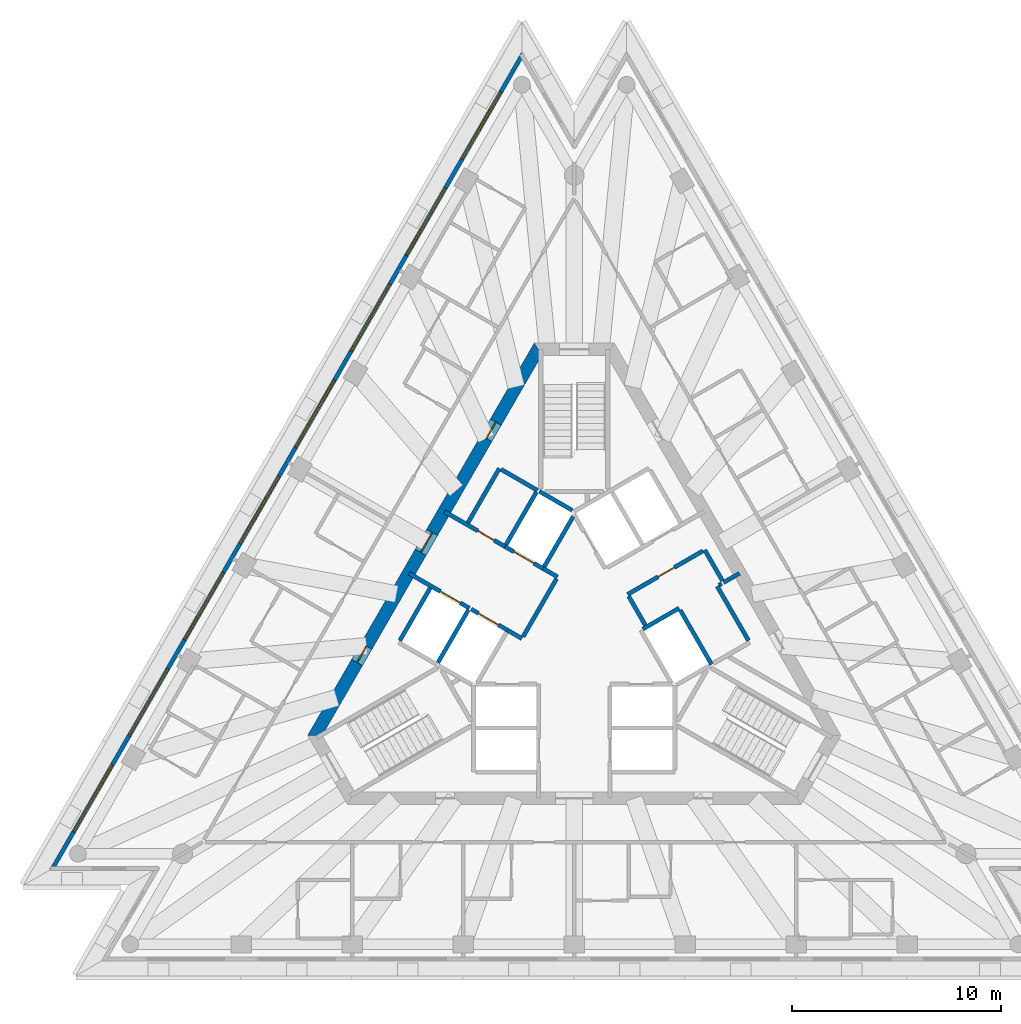
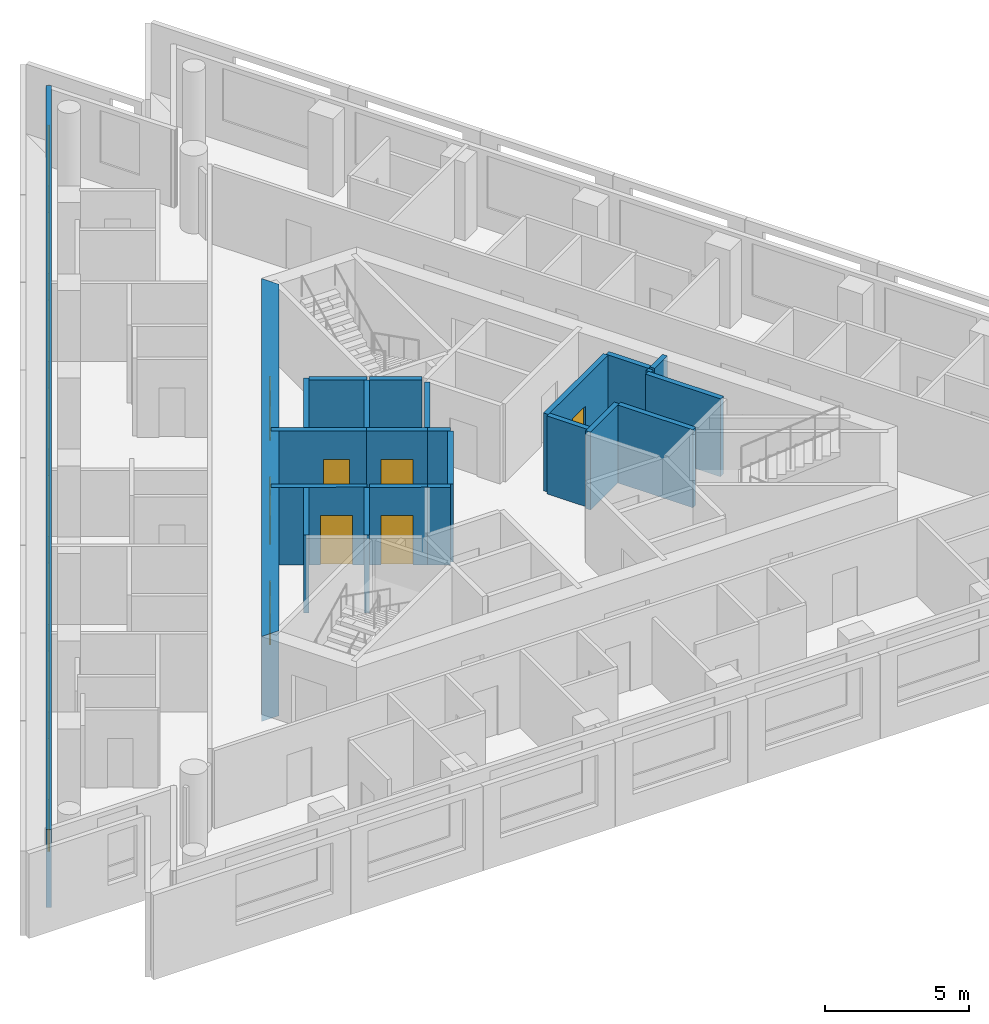
# One storey, part 5 of 11: 24 walls, 8 doors, 8 windows, 16 openings.
"""IFC4 building model written with IfcOpenShell, lengths in metres."""

from ifc_helpers import new_model, si_unit, direction, frame, frame_2d, origin, place, context, subcontext, project, spatial, polyline, rectangle, outline, extrude, material, layer, layer_set, layer_usage, type_object, element, fill, save


model = new_model("IFC4")

# Units and contexts
model_context = context("Model", 3, precision=1e-05, world=origin(), true_north=direction((0.0, 1.0)))
body_context = subcontext(model_context, "Body", "Model", "MODEL_VIEW")
ifc_project = project(units=[si_unit("LENGTHUNIT", "METRE"), si_unit("AREAUNIT", "SQUARE_METRE"), si_unit("VOLUMEUNIT", "CUBIC_METRE"), si_unit("PLANEANGLEUNIT", "RADIAN"), si_unit("MASSUNIT", "GRAM", prefix="KILO")], contexts=[model_context])

# Site, building, storey
site_placement = place(None, origin())
site = spatial("IfcSite", under=ifc_project, at=site_placement, CompositionType="ELEMENT")
building_placement = place(site_placement, origin())
building = spatial("IfcBuilding", under=site, at=building_placement, Name="Triada Interchange Tower", CompositionType="ELEMENT")
storey_placement = place(building_placement, frame((0.0, 0.0, 307.89990234375)))
storey = spatial("IfcBuildingStorey", under=building, at=storey_placement, Name="L73", CompositionType="ELEMENT", Elevation=307.89990234375)

# Walls
ifc_material_1 = material(Name="Concrete C30/37", Category="concrete")
ifc_layer_1 = layer(ifc_material_1, 0.199951171875)
ifc_layer_set_1 = layer_set([ifc_layer_1], Name="CORE WALL 200 EI 120")
wall_type_1 = type_object("IfcWallType", Name="CORE WALL 200 EI 120", PredefinedType="SOLIDWALL", material=ifc_layer_set_1)
wall_1_placement = place(storey_placement, frame((-8.325927734375, -0.6201171875, 0.0), z_axis=(0.0, 0.0, 1.0), x_axis=(0.500023687443, 0.866011727401, 0.0)))
element("IfcWall", 1, at=wall_1_placement, inside=storey, type_object=wall_type_1, Name="Wall L71 70", PredefinedType="SOLIDWALL", context=body_context, shape_type="SweptSolid", body=[
    extrude(rectangle(XDim=2.899658203125, YDim=0.199951171875, at=frame_2d((1.44970703125, 0.0))), origin(), (0.0, 0.0, 1.0), 3.300048828125),
])
wall_2_placement = place(storey_placement, frame((3.278076171875, -0.071044921875, 0.0), z_axis=(0.0, 0.0, 1.0), x_axis=(0.865855657918, 0.500293893279, 0.0)))
element("IfcWall", 2, at=wall_2_placement, inside=storey, type_object=wall_type_1, Name="Wall L71 85", PredefinedType="SOLIDWALL", context=body_context, shape_type="SweptSolid", body=[
    extrude(rectangle(XDim=1.996826171875, YDim=0.199951171875, at=frame_2d((0.99853515625, 0.0))), origin(), (0.0, 0.0, 1.0), 3.300048828125),
])
wall_3_placement = place(storey_placement, frame((7.12890625, 2.153076171875, 0.0), z_axis=(0.0, 0.0, 1.0), x_axis=(0.866083962871, 0.499898558967, 0.0)))
element("IfcWall", 3, at=wall_3_placement, inside=storey, type_object=wall_type_1, Name="Wall L71 86", PredefinedType="SOLIDWALL", context=body_context, shape_type="SweptSolid", body=[
    extrude(rectangle(XDim=0.880126953125, YDim=0.199951171875, at=frame_2d((0.43994140625, 0.0))), origin(), (0.0, 0.0, 1.0), 3.300048828125),
])
wall_4_placement = place(storey_placement, frame((5.056884765625, 0.841064453125, 0.0), z_axis=(0.0, 0.0, 1.0), x_axis=(0.499990139034, -0.866031096941, 0.0)))
element("IfcWall", 4, at=wall_4_placement, inside=storey, type_object=wall_type_1, Name="Wall L71 89", PredefinedType="SOLIDWALL", context=body_context, shape_type="SweptSolid", body=[
    extrude(rectangle(XDim=3.0, YDim=0.199951171875, at=frame_2d((1.5, 0.0))), origin(), (0.0, 0.0, 1.0), 3.300048828125),
])
wall_5_placement = place(storey_placement, frame((6.22900390625, 3.7119140625, 0.0), z_axis=(0.0, 0.0, 1.0), x_axis=(0.499875724984, -0.86609714211, 0.0)))
element("IfcWall", 5, at=wall_5_placement, inside=storey, type_object=wall_type_1, Name="Wall L71 91", PredefinedType="SOLIDWALL", context=body_context, shape_type="SweptSolid", body=[
    extrude(rectangle(XDim=1.70068359375, YDim=0.199951171875, at=frame_2d((0.850341796875, 0.0))), origin(), (0.0, 0.0, 1.0), 3.300048828125),
])

# Wall, opening, door
wall_6_placement = place(storey_placement, frame((2.548095703125, 1.5869140625, 0.0), z_axis=(0.0, 0.0, 1.0), x_axis=(0.866004344652, 0.500036473714, 0.0)))
wall_6 = element("IfcWall", 6, at=wall_6_placement, inside=storey, type_object=wall_type_1, Name="Wall L71 92", PredefinedType="SOLIDWALL", context=body_context, shape_type="SweptSolid", body=[
    extrude(rectangle(XDim=4.150146484375, YDim=0.199951171875, at=frame_2d((2.0751953125, 0.0))), origin(), (0.0, 0.0, 1.0), 3.300048828125),
])
opening_1_placement = place(wall_6_placement, frame((1.675048828125, 0.0, 0.0)))
opening_1 = element("IfcOpeningElement", 7, at=opening_1_placement, cuts=wall_6, Name="Opening D71-60", PredefinedType="OPENING", context=body_context, shape_type="SweptSolid", body=[
    extrude(rectangle(XDim=0.89990234375, YDim=2.10009765625, at=frame_2d((0.449951171875, 1.050048828125))), frame((0.0, 0.10986328125, 0.0), z_axis=(0.0, -1.0, 0.0), x_axis=(1.0, 0.0, 0.0)), (0.0, 0.0, 1.0), 0.219970703125),
])
ifc_material_2 = material(Name="Steel S235 door leaf", Category="steel")
door_type_1 = type_object("IfcDoorType", Name="SERVICE DOOR 900 EI2 45-C5S200", OperationType="NOTDEFINED", PredefinedType="DOOR", material=ifc_material_2)
door_1_placement = place(opening_1_placement, origin())
door_1 = element("IfcDoor", 8, at=door_1_placement, inside=storey, type_object=door_type_1, Name="Door D71-60 L73", OperationType="SINGLE_SWING_RIGHT", OverallHeight=2.10009765625, OverallWidth=0.89990234375, PredefinedType="DOOR", context=body_context, shape_type="SweptSolid", body=[
    extrude(rectangle(XDim=0.89990234375, YDim=2.10009765625, at=frame_2d((0.449951171875, 1.050048828125))), frame((0.0, 0.02490234375, 0.0), z_axis=(0.0, -1.0, 0.0), x_axis=(1.0, 0.0, 0.0)), (0.0, 0.0, 1.0), 0.050048828125),
])
fill(opening_1, door_1)

# Wall
wall_7_placement = place(storey_placement, frame((2.597900390625, 1.5, 0.0), z_axis=(0.0, 0.0, 1.0), x_axis=(0.499929347863, -0.866066190972, 0.0)))
element("IfcWall", 9, at=wall_7_placement, inside=storey, type_object=wall_type_1, Name="Wall L71 93", PredefinedType="SOLIDWALL", context=body_context, shape_type="SweptSolid", body=[
    extrude(rectangle(XDim=1.600341796875, YDim=0.199951171875, at=frame_2d((0.80029296875, 0.0))), origin(), (0.0, 0.0, 1.0), 3.300048828125),
])

# Wall, opening, door
ifc_layer_2 = layer(ifc_material_1, 0.199951171875)
ifc_layer_set_2 = layer_set([ifc_layer_2], Name="CORE WALL 200 EI 180")
wall_type_2 = type_object("IfcWallType", Name="CORE WALL 200 EI 180", PredefinedType="SOLIDWALL", material=ifc_layer_set_2)
wall_8_placement = place(storey_placement, frame((-7.89111328125, 2.593017578125, 0.0), z_axis=(0.0, 0.0, 1.0), x_axis=(0.866070917804, -0.499921159118, 0.0)))
wall_8 = element("IfcWall", 10, at=wall_8_placement, inside=storey, type_object=wall_type_2, Name="Wall L71 94", PredefinedType="SOLIDWALL", context=body_context, shape_type="SweptSolid", body=[
    extrude(rectangle(XDim=3.33251953125, YDim=0.199951171875, at=frame_2d((1.666259765625, 0.0))), origin(), (0.0, 0.0, 1.0), 3.300048828125),
])
opening_2_placement = place(wall_8_placement, frame((1.72998046875, 0.0, 0.0)))
opening_2 = element("IfcOpeningElement", 11, at=opening_2_placement, cuts=wall_8, Name="Opening LD-SV1", PredefinedType="OPENING", context=body_context, shape_type="SweptSolid", body=[
    extrude(rectangle(XDim=1.10009765625, YDim=2.10009765625, at=frame_2d((0.550048828125, 1.050048828125))), frame((0.0, 0.10986328125, 0.0), z_axis=(0.0, -1.0, 0.0), x_axis=(1.0, 0.0, 0.0)), (0.0, 0.0, 1.0), 0.219970703125),
])
door_type_2 = type_object("IfcDoorType", Name="LIFT LANDING DOOR 1100 EI 120", OperationType="SLIDING_TO_LEFT", PredefinedType="DOOR", material=ifc_material_2)
door_2_placement = place(opening_2_placement, origin())
door_2 = element("IfcDoor", 12, at=door_2_placement, inside=storey, type_object=door_type_2, Name="SV1 landing door L73", OperationType="SLIDING_TO_LEFT", OverallHeight=2.10009765625, OverallWidth=1.10009765625, PredefinedType="DOOR", context=body_context, shape_type="SweptSolid", body=[
    extrude(rectangle(XDim=1.10009765625, YDim=2.10009765625, at=frame_2d((0.550048828125, 1.050048828125))), frame((0.0, 0.02490234375, 0.0), z_axis=(0.0, -1.0, 0.0), x_axis=(1.0, 0.0, 0.0)), (0.0, 0.0, 1.0), 0.050048828125),
])
fill(opening_2, door_2)

# Wall
wall_9_placement = place(storey_placement, frame((-3.18798828125, -0.1220703125, 0.0), z_axis=(0.0, 0.0, 1.0), x_axis=(0.865705793592, -0.50055317294, 0.0)))
element("IfcWall", 13, at=wall_9_placement, inside=storey, type_object=wall_type_2, Name="Wall L71 95", PredefinedType="SOLIDWALL", context=body_context, shape_type="SweptSolid", body=[
    extrude(rectangle(XDim=0.796875, YDim=0.199951171875, at=frame_2d((0.3984375, 0.0))), origin(), (0.0, 0.0, 1.0), 3.300048828125),
])

# Wall, opening, door
wall_10_placement = place(storey_placement, frame((-6.19091796875, 5.537109375, 0.0), z_axis=(0.0, 0.0, 1.0), x_axis=(0.866052607023, -0.499952879648, 0.0)))
wall_10 = element("IfcWall", 14, at=wall_10_placement, inside=storey, type_object=wall_type_2, Name="Wall L71 96", PredefinedType="SOLIDWALL", context=body_context, shape_type="SweptSolid", body=[
    extrude(rectangle(XDim=3.332275390625, YDim=0.199951171875, at=frame_2d((1.666015625, 0.0))), origin(), (0.0, 0.0, 1.0), 3.300048828125),
])
opening_3_placement = place(wall_10_placement, frame((1.830078125, 0.0, 0.0)))
opening_3 = element("IfcOpeningElement", 15, at=opening_3_placement, cuts=wall_10, Name="Opening D71-10", PredefinedType="OPENING", context=body_context, shape_type="SweptSolid", body=[
    extrude(rectangle(XDim=0.89990234375, YDim=2.10009765625, at=frame_2d((0.449951171875, 1.050048828125))), frame((0.0, 0.10986328125, 0.0), z_axis=(0.0, -1.0, 0.0), x_axis=(1.0, 0.0, 0.0)), (0.0, 0.0, 1.0), 0.219970703125),
])
door_type_3 = type_object("IfcDoorType", Name="SERVICE DOOR 900 EI2 90-C5S200", OperationType="NOTDEFINED", PredefinedType="DOOR", material=ifc_material_2)
door_3_placement = place(opening_3_placement, origin())
door_3 = element("IfcDoor", 16, at=door_3_placement, inside=storey, type_object=door_type_3, Name="Door D71-10 L73", OperationType="SINGLE_SWING_LEFT", OverallHeight=2.10009765625, OverallWidth=0.89990234375, PredefinedType="DOOR", context=body_context, shape_type="SweptSolid", body=[
    extrude(rectangle(XDim=0.89990234375, YDim=2.10009765625, at=frame_2d((0.449951171875, 1.050048828125))), frame((0.0, 0.02490234375, 0.0), z_axis=(0.0, -1.0, 0.0), x_axis=(1.0, 0.0, 0.0)), (0.0, 0.0, 1.0), 0.050048828125),
])
fill(opening_3, door_3)

# Walls
wall_11_placement = place(storey_placement, frame((-1.488037109375, 2.822021484375, 0.0), z_axis=(0.0, 0.0, 1.0), x_axis=(0.866236612152, -0.499633997809, 0.0)))
element("IfcWall", 17, at=wall_11_placement, inside=storey, type_object=wall_type_2, Name="Wall L71 97", PredefinedType="SOLIDWALL", context=body_context, shape_type="SweptSolid", body=[
    extrude(rectangle(XDim=0.79638671875, YDim=0.199951171875, at=frame_2d((0.398193359375, 0.0))), origin(), (0.0, 0.0, 1.0), 3.300048828125),
])
wall_12_placement = place(storey_placement, frame((-5.075927734375, 5.009033203125, 0.0), z_axis=(0.0, 0.0, 1.0), x_axis=(0.50002537861, 0.866010750942, 0.0)))
element("IfcWall", 18, at=wall_12_placement, inside=storey, type_object=wall_type_2, Name="Wall L71 98", PredefinedType="SOLIDWALL", context=body_context, shape_type="SweptSolid", body=[
    extrude(rectangle(XDim=2.999755859375, YDim=0.199951171875, at=frame_2d((1.5, 0.0))), origin(), (0.0, 0.0, 1.0), 3.300048828125),
])
wall_13_placement = place(storey_placement, frame((-3.489013671875, 7.556884765625, 0.0), z_axis=(0.0, 0.0, 1.0), x_axis=(0.866010750942, -0.50002537861, 0.0)))
element("IfcWall", 19, at=wall_13_placement, inside=storey, type_object=wall_type_2, Name="Wall L71 99", PredefinedType="SOLIDWALL", context=body_context, shape_type="SweptSolid", body=[
    extrude(rectangle(XDim=2.0, YDim=0.199951171875, at=frame_2d((1.0, 0.0))), origin(), (0.0, 0.0, 1.0), 3.300048828125),
])
wall_14_placement = place(storey_placement, frame((-2.444091796875, -0.43310546875, 0.0), z_axis=(0.0, 0.0, 1.0), x_axis=(0.500035624827, 0.866004834804, 0.0)))
element("IfcWall", 20, at=wall_14_placement, inside=storey, type_object=wall_type_2, Name="Wall L71 100", PredefinedType="SOLIDWALL", context=body_context, shape_type="SweptSolid", body=[
    extrude(rectangle(XDim=3.194091796875, YDim=0.199951171875, at=frame_2d((1.59716796875, 0.0))), origin(), (0.0, 0.0, 1.0), 3.300048828125),
])
wall_15_placement = place(storey_placement, frame((-6.507080078125, -1.669921875, 0.0), z_axis=(0.0, 0.0, 1.0), x_axis=(0.50012328804, 0.865954211699, 0.0)))
element("IfcWall", 21, at=wall_15_placement, inside=storey, type_object=wall_type_2, Name="Shaft wall FF1 L71 101", PredefinedType="SOLIDWALL", context=body_context, shape_type="SweptSolid", body=[
    extrude(rectangle(XDim=2.899658203125, YDim=0.199951171875, at=frame_2d((1.44970703125, 0.0))), origin(), (0.0, 0.0, 1.0), 3.300048828125),
])

# Wall, opening, door
wall_16_placement = place(storey_placement, frame((-4.922119140625, 0.87890625, 0.0), z_axis=(0.0, 0.0, 1.0), x_axis=(0.866073918653, -0.499915960366, 0.0)))
wall_16 = element("IfcWall", 22, at=wall_16_placement, inside=storey, type_object=wall_type_2, Name="Shaft wall FF1 L71 103", PredefinedType="SOLIDWALL", context=body_context, shape_type="SweptSolid", body=[
    extrude(rectangle(XDim=2.002197265625, YDim=0.199951171875, at=frame_2d((1.0009765625, 0.0))), origin(), (0.0, 0.0, 1.0), 3.300048828125),
])
opening_4_placement = place(wall_16_placement, frame((0.402099609375, 0.0, 0.0)))
opening_4 = element("IfcOpeningElement", 23, at=opening_4_placement, cuts=wall_16, Name="Opening LD-FF1", PredefinedType="OPENING", context=body_context, shape_type="SweptSolid", body=[
    extrude(rectangle(XDim=1.10009765625, YDim=2.10009765625, at=frame_2d((0.550048828125, 1.050048828125))), frame((0.0, 0.10986328125, 0.0), z_axis=(0.0, -1.0, 0.0), x_axis=(1.0, 0.0, 0.0)), (0.0, 0.0, 1.0), 0.219970703125),
])
door_4_placement = place(opening_4_placement, origin())
door_4 = element("IfcDoor", 24, at=door_4_placement, inside=storey, type_object=door_type_2, Name="FF1 landing door L73", OperationType="SLIDING_TO_LEFT", OverallHeight=2.10009765625, OverallWidth=1.10009765625, PredefinedType="DOOR", context=body_context, shape_type="SweptSolid", body=[
    extrude(rectangle(XDim=1.10009765625, YDim=2.10009765625, at=frame_2d((0.550048828125, 1.050048828125))), frame((0.0, 0.02490234375, 0.0), z_axis=(0.0, -1.0, 0.0), x_axis=(1.0, 0.0, 0.0)), (0.0, 0.0, 1.0), 0.050048828125),
])
fill(opening_4, door_4)

wall_17_placement = place(storey_placement, frame((-3.30908203125, 3.873046875, 0.0), z_axis=(0.0, 0.0, 1.0), x_axis=(0.866098583652, -0.499873227325, 0.0)))
wall_17 = element("IfcWall", 25, at=wall_17_placement, inside=storey, type_object=wall_type_2, Name="Shaft wall FF2 L71 105", PredefinedType="SOLIDWALL", context=body_context, shape_type="SweptSolid", body=[
    extrude(rectangle(XDim=2.1025390625, YDim=0.199951171875, at=frame_2d((1.05126953125, 0.0))), origin(), (0.0, 0.0, 1.0), 3.300048828125),
])
opening_5_placement = place(wall_17_placement, frame((0.501953125, 0.0, 0.0)))
opening_5 = element("IfcOpeningElement", 26, at=opening_5_placement, cuts=wall_17, Name="Opening LD-FF2", PredefinedType="OPENING", context=body_context, shape_type="SweptSolid", body=[
    extrude(rectangle(XDim=1.10009765625, YDim=2.10009765625, at=frame_2d((0.550048828125, 1.050048828125))), frame((0.0, 0.10986328125, 0.0), z_axis=(0.0, -1.0, 0.0), x_axis=(1.0, 0.0, 0.0)), (0.0, 0.0, 1.0), 0.219970703125),
])
door_5_placement = place(opening_5_placement, origin())
door_5 = element("IfcDoor", 27, at=door_5_placement, inside=storey, type_object=door_type_2, Name="FF2 landing door L73", OperationType="SLIDING_TO_LEFT", OverallHeight=2.10009765625, OverallWidth=1.10009765625, PredefinedType="DOOR", context=body_context, shape_type="SweptSolid", body=[
    extrude(rectangle(XDim=1.10009765625, YDim=2.10009765625, at=frame_2d((0.550048828125, 1.050048828125))), frame((0.0, 0.02490234375, 0.0), z_axis=(0.0, -1.0, 0.0), x_axis=(1.0, 0.0, 0.0)), (0.0, 0.0, 1.0), 0.050048828125),
])
fill(opening_5, door_5)

# Walls
wall_18_placement = place(storey_placement, frame((-3.257080078125, 3.958984375, 0.0), z_axis=(0.0, 0.0, 1.0), x_axis=(0.50012328804, 0.865954211699, 0.0)))
element("IfcWall", 28, at=wall_18_placement, inside=storey, type_object=wall_type_2, Name="Shaft wall FF2 L71 106", PredefinedType="SOLIDWALL", context=body_context, shape_type="SweptSolid", body=[
    extrude(rectangle(XDim=2.899658203125, YDim=0.199951171875, at=frame_2d((1.44970703125, 0.0))), origin(), (0.0, 0.0, 1.0), 3.300048828125),
])
wall_19_placement = place(storey_placement, frame((-1.669921875, 6.507080078125, 0.0), z_axis=(0.0, 0.0, 1.0), x_axis=(0.865941441609, -0.500145398563, 0.0)))
element("IfcWall", 29, at=wall_19_placement, inside=storey, type_object=wall_type_2, Name="Shaft wall FF2 L71 107", PredefinedType="SOLIDWALL", context=body_context, shape_type="SweptSolid", body=[
    extrude(rectangle(XDim=1.8154296875, YDim=0.199951171875, at=frame_2d((0.90771484375, 0.0))), origin(), (0.0, 0.0, 1.0), 3.300048828125),
])
wall_20_placement = place(storey_placement, frame((-1.43798828125, 2.908935546875, 0.0), z_axis=(0.0, 0.0, 1.0), x_axis=(0.499829630636, 0.866123744241, 0.0)))
element("IfcWall", 30, at=wall_20_placement, inside=storey, type_object=wall_type_2, Name="Shaft wall FF2 L71 108", PredefinedType="SOLIDWALL", context=body_context, shape_type="SweptSolid", body=[
    extrude(rectangle(XDim=2.7607421875, YDim=0.199951171875, at=frame_2d((1.38037109375, 0.0))), origin(), (0.0, 0.0, 1.0), 3.300048828125),
])
ifc_layer_3 = layer(ifc_material_1, 0.199951171875)
ifc_layer_set_3 = layer_set([ifc_layer_3], Name="CORE WALL 200 EI 90")
wall_type_3 = type_object("IfcWallType", Name="CORE WALL 200 EI 90", PredefinedType="SOLIDWALL", material=ifc_layer_set_3)
wall_21_placement = place(storey_placement, frame((6.825927734375, 1.97802734375, 0.0), z_axis=(0.0, 0.0, 1.0), x_axis=(0.499990139034, -0.866031096941, 0.0)))
element("IfcWall", 31, at=wall_21_placement, inside=storey, type_object=wall_type_3, Name="Wall L71 112", PredefinedType="SOLIDWALL", context=body_context, shape_type="SweptSolid", body=[
    extrude(rectangle(XDim=3.0, YDim=0.199951171875, at=frame_2d((1.5, 0.0))), origin(), (0.0, 0.0, 1.0), 3.300048828125),
])
wall_22_placement = place(storey_placement, frame((6.912109375, 2.028076171875, 0.0), z_axis=(0.0, 0.0, 1.0), x_axis=(0.866559367082, 0.499074005857, 0.0)))
element("IfcWall", 32, at=wall_22_placement, inside=storey, type_object=wall_type_3, Name="Wall L71 113", PredefinedType="SOLIDWALL", context=body_context, shape_type="SweptSolid", body=[
    extrude(rectangle(XDim=0.152099609375, YDim=0.199951171875, at=frame_2d((0.076171875, 0.0))), origin(), (0.0, 0.0, 1.0), 3.300048828125),
])

# Wall, openings, doors
ifc_material_3 = material(Name="Concrete C40/50", Category="concrete")
ifc_layer_4 = layer(ifc_material_3, 0.60009765625)
ifc_layer_set_4 = layer_set([ifc_layer_4], Name="Core wall D 600")
wall_type_4 = type_object("IfcWallType", Name="Core wall D 600", PredefinedType="SHEAR", material=ifc_layer_set_4)
wall_23_placement = place(storey_placement, frame((-1.73193359375, 13.300048828125, -0.2998046875), z_axis=(0.0, 0.0, 1.0), x_axis=(-0.500000539815, -0.866025092122, 0.0)))
wall_23 = element("IfcWall", 33, at=wall_23_placement, inside=storey, type_object=wall_type_4, Name="Core wall WD02 L73", PredefinedType="SHEAR", context=body_context, shape_type="SweptSolid", body=[
    extrude(outline(polyline([(-0.173095703125, -0.300048828125), (1.795166015625, -0.300048828125), (3.763427734375, -0.30029296875), (5.731689453125, -0.30029296875), (7.699951171875, -0.30029296875), (9.668212890625, -0.300537109375), (11.63671875, -0.300537109375), (13.60498046875, -0.30078125), (15.5732421875, -0.30078125), (17.54150390625, -0.30078125), (19.509765625, -0.301025390625), (21.47802734375, -0.301025390625), (21.131103515625, 0.300048828125), (19.225830078125, 0.300048828125), (17.320556640625, 0.300048828125), (15.415283203125, 0.300048828125), (13.510009765625, 0.300048828125), (11.604736328125, 0.300048828125), (9.699462890625, 0.300048828125), (7.794189453125, 0.300048828125), (5.888916015625, 0.300048828125), (3.983642578125, 0.300048828125), (2.078369140625, 0.300048828125), (0.173095703125, 0.300048828125), (-0.173095703125, -0.300048828125)])), origin(), (0.0, 0.0, 1.0), 3.599853515625),
])
opening_6_placement = place(wall_23_placement, frame((10.10205078125, 0.0, 0.300048828125)))
opening_6 = element("IfcOpeningElement", 34, at=opening_6_placement, cuts=wall_23, Name="Opening D71-53", PredefinedType="OPENING", context=body_context, shape_type="SweptSolid", body=[
    extrude(rectangle(XDim=1.10009765625, YDim=2.10009765625, at=frame_2d((0.550048828125, 1.050048828125))), frame((0.0, 0.31005859375, 0.0), z_axis=(0.0, -1.0, 0.0), x_axis=(1.0, 0.0, 0.0)), (0.0, 0.0, 1.0), 0.62109375),
])
opening_7_placement = place(wall_23_placement, frame((16.3779296875, 0.0, 0.300048828125)))
opening_7 = element("IfcOpeningElement", 35, at=opening_7_placement, cuts=wall_23, Name="Opening D71-54", PredefinedType="OPENING", context=body_context, shape_type="SweptSolid", body=[
    extrude(rectangle(XDim=0.89990234375, YDim=2.10009765625, at=frame_2d((0.449951171875, 1.050048828125))), frame((0.0, 0.31005859375, 0.0), z_axis=(0.0, -1.0, 0.0), x_axis=(1.0, 0.0, 0.0)), (0.0, 0.0, 1.0), 0.62109375),
])
opening_8_placement = place(wall_23_placement, frame((4.02587890625, 0.0, 0.300048828125)))
opening_8 = element("IfcOpeningElement", 36, at=opening_8_placement, cuts=wall_23, Name="Opening D71-56", PredefinedType="OPENING", context=body_context, shape_type="SweptSolid", body=[
    extrude(rectangle(XDim=0.89990234375, YDim=2.10009765625, at=frame_2d((0.449951171875, 1.050048828125))), frame((0.0, 0.31005859375, 0.0), z_axis=(0.0, -1.0, 0.0), x_axis=(1.0, 0.0, 0.0)), (0.0, 0.0, 1.0), 0.62109375),
])
door_type_4 = type_object("IfcDoorType", Name="FIRE LOBBY DOOR 1100 EI2 90-C5S200", OperationType="NOTDEFINED", PredefinedType="DOOR", material=ifc_material_2)
door_6_placement = place(opening_6_placement, origin())
door_6 = element("IfcDoor", 37, at=door_6_placement, inside=storey, type_object=door_type_4, Name="Door D71-53 L73", OperationType="SINGLE_SWING_RIGHT", OverallHeight=2.10009765625, OverallWidth=1.10009765625, PredefinedType="DOOR", context=body_context, shape_type="SweptSolid", body=[
    extrude(rectangle(XDim=1.10009765625, YDim=2.10009765625, at=frame_2d((0.550048828125, 1.050048828125))), frame((0.0, 0.02490234375, 0.0), z_axis=(0.0, -1.0, 0.0), x_axis=(1.0, 0.0, 0.0)), (0.0, 0.0, 1.0), 0.050048828125),
])
fill(opening_6, door_6)
door_type_5 = type_object("IfcDoorType", Name="RISER ACCESS DOOR 900 EI2 45-C5S200", OperationType="NOTDEFINED", PredefinedType="DOOR", material=ifc_material_2)
door_7_placement = place(opening_7_placement, origin())
door_7 = element("IfcDoor", 38, at=door_7_placement, inside=storey, type_object=door_type_5, Name="Door D71-54 L73", OperationType="SINGLE_SWING_RIGHT", OverallHeight=2.10009765625, OverallWidth=0.89990234375, PredefinedType="DOOR", context=body_context, shape_type="SweptSolid", body=[
    extrude(rectangle(XDim=0.89990234375, YDim=2.10009765625, at=frame_2d((0.449951171875, 1.050048828125))), frame((0.0, 0.02490234375, 0.0), z_axis=(0.0, -1.0, 0.0), x_axis=(1.0, 0.0, 0.0)), (0.0, 0.0, 1.0), 0.050048828125),
])
fill(opening_7, door_7)
door_8_placement = place(opening_8_placement, origin())
door_8 = element("IfcDoor", 39, at=door_8_placement, inside=storey, type_object=door_type_1, Name="Door D71-56 L73", OperationType="SINGLE_SWING_LEFT", OverallHeight=2.10009765625, OverallWidth=0.89990234375, PredefinedType="DOOR", context=body_context, shape_type="SweptSolid", body=[
    extrude(rectangle(XDim=0.89990234375, YDim=2.10009765625, at=frame_2d((0.449951171875, 1.050048828125))), frame((0.0, 0.02490234375, 0.0), z_axis=(0.0, -1.0, 0.0), x_axis=(1.0, 0.0, 0.0)), (0.0, 0.0, 1.0), 0.050048828125),
])
fill(opening_8, door_8)

# Wall, openings, windows
ifc_material_4 = material(Name="Cement board")
ifc_layer_5 = layer(ifc_material_4, 0.02001953125, Name="Cement board cladding")
ifc_material_5 = material(Name="Sheathing board")
ifc_layer_6 = layer(ifc_material_5, 0.014892578125, Name="Sheathing board")
ifc_material_6 = material(Name="Mineral wool")
ifc_layer_7 = layer(ifc_material_6, 0.14990234375, Name="Mineral wool between steel studs")
ifc_material_7 = material(Name="Gypsum board")
ifc_layer_8 = layer(ifc_material_7, 0.014892578125, Name="Plasterboard lining")
ifc_layer_set_5 = layer_set([ifc_layer_5, ifc_layer_6, ifc_layer_7, ifc_layer_8], Name="External wall 200")
ifc_layer_usage = layer_usage(ifc_layer_set_5, "AXIS2", "POSITIVE", -0.10009765625)
wall_type_5 = type_object("IfcWallType", Name="External wall 200", PredefinedType="ELEMENTEDWALL", material=ifc_layer_set_5)
wall_24_placement = place(storey_placement, frame((-2.452880859375, 27.405029296875, 0.0), z_axis=(0.0, 0.0, 1.0), x_axis=(-0.500000041859, -0.866025379617, 0.0)))
wall_24 = element("IfcWall", 40, at=wall_24_placement, inside=storey, type_object=wall_type_5, material=ifc_layer_usage, Name="External wall L73 NW", PredefinedType="ELEMENTEDWALL", context=body_context, shape_type="SweptSolid", body=[
    extrude(rectangle(XDim=44.994140625, YDim=0.199951171875, at=frame_2d((22.4970703125, 0.0))), origin(), (0.0, 0.0, 1.0), 3.300048828125),
])
opening_9_placement = place(wall_24_placement, frame((2.10302734375, 0.0, 0.89990234375)))
opening_9 = element("IfcOpeningElement", 41, at=opening_9_placement, cuts=wall_24, Name="Opening WD01", PredefinedType="OPENING", context=body_context, shape_type="SweptSolid", body=[
    extrude(rectangle(XDim=3.699951171875, YDim=2.199951171875, at=frame_2d((1.85009765625, 1.10009765625))), frame((0.0, 0.10986328125, 0.0), z_axis=(0.0, -1.0, 0.0), x_axis=(1.0, 0.0, 0.0)), (0.0, 0.0, 1.0), 0.219970703125),
])
opening_10_placement = place(wall_24_placement, frame((7.404052734375, 0.0, 0.89990234375)))
opening_10 = element("IfcOpeningElement", 42, at=opening_10_placement, cuts=wall_24, Name="Opening WD02", PredefinedType="OPENING", context=body_context, shape_type="SweptSolid", body=[
    extrude(rectangle(XDim=3.699951171875, YDim=2.199951171875, at=frame_2d((1.85009765625, 1.10009765625))), frame((0.0, 0.10986328125, 0.0), z_axis=(0.0, -1.0, 0.0), x_axis=(1.0, 0.0, 0.0)), (0.0, 0.0, 1.0), 0.219970703125),
])
opening_11_placement = place(wall_24_placement, frame((12.705078125, 0.0, 0.89990234375)))
opening_11 = element("IfcOpeningElement", 43, at=opening_11_placement, cuts=wall_24, Name="Opening WD03", PredefinedType="OPENING", context=body_context, shape_type="SweptSolid", body=[
    extrude(rectangle(XDim=3.699951171875, YDim=2.199951171875, at=frame_2d((1.85009765625, 1.10009765625))), frame((0.0, 0.10986328125, 0.0), z_axis=(0.0, -1.0, 0.0), x_axis=(1.0, 0.0, 0.0)), (0.0, 0.0, 1.0), 0.219970703125),
])
opening_12_placement = place(wall_24_placement, frame((18.006103515625, 0.0, 0.89990234375)))
opening_12 = element("IfcOpeningElement", 44, at=opening_12_placement, cuts=wall_24, Name="Opening WD04", PredefinedType="OPENING", context=body_context, shape_type="SweptSolid", body=[
    extrude(rectangle(XDim=3.699951171875, YDim=2.199951171875, at=frame_2d((1.85009765625, 1.10009765625))), frame((0.0, 0.10986328125, 0.0), z_axis=(0.0, -1.0, 0.0), x_axis=(1.0, 0.0, 0.0)), (0.0, 0.0, 1.0), 0.219970703125),
])
opening_13_placement = place(wall_24_placement, frame((23.306884765625, 0.0, 0.89990234375)))
opening_13 = element("IfcOpeningElement", 45, at=opening_13_placement, cuts=wall_24, Name="Opening WD05", PredefinedType="OPENING", context=body_context, shape_type="SweptSolid", body=[
    extrude(rectangle(XDim=3.699951171875, YDim=2.199951171875, at=frame_2d((1.85009765625, 1.10009765625))), frame((0.0, 0.10986328125, 0.0), z_axis=(0.0, -1.0, 0.0), x_axis=(1.0, 0.0, 0.0)), (0.0, 0.0, 1.0), 0.219970703125),
])
opening_14_placement = place(wall_24_placement, frame((28.60791015625, 0.0, 0.89990234375)))
opening_14 = element("IfcOpeningElement", 46, at=opening_14_placement, cuts=wall_24, Name="Opening WD06", PredefinedType="OPENING", context=body_context, shape_type="SweptSolid", body=[
    extrude(rectangle(XDim=3.699951171875, YDim=2.199951171875, at=frame_2d((1.85009765625, 1.10009765625))), frame((0.0, 0.10986328125, 0.0), z_axis=(0.0, -1.0, 0.0), x_axis=(1.0, 0.0, 0.0)), (0.0, 0.0, 1.0), 0.219970703125),
])
opening_15_placement = place(wall_24_placement, frame((33.908935546875, 0.0, 0.89990234375)))
opening_15 = element("IfcOpeningElement", 47, at=opening_15_placement, cuts=wall_24, Name="Opening WD07", PredefinedType="OPENING", context=body_context, shape_type="SweptSolid", body=[
    extrude(rectangle(XDim=3.699951171875, YDim=2.199951171875, at=frame_2d((1.85009765625, 1.10009765625))), frame((0.0, 0.10986328125, 0.0), z_axis=(0.0, -1.0, 0.0), x_axis=(1.0, 0.0, 0.0)), (0.0, 0.0, 1.0), 0.219970703125),
])
opening_16_placement = place(wall_24_placement, frame((39.2099609375, 0.0, 0.89990234375)))
opening_16 = element("IfcOpeningElement", 48, at=opening_16_placement, cuts=wall_24, Name="Opening WD08", PredefinedType="OPENING", context=body_context, shape_type="SweptSolid", body=[
    extrude(rectangle(XDim=3.699951171875, YDim=2.199951171875, at=frame_2d((1.85009765625, 1.10009765625))), frame((0.0, 0.10986328125, 0.0), z_axis=(0.0, -1.0, 0.0), x_axis=(1.0, 0.0, 0.0)), (0.0, 0.0, 1.0), 0.219970703125),
])
ifc_material_8 = material(Name="Double glazed aluminium window", Category="aluminium")
window_type = type_object("IfcWindowType", Name="Ribbon window D face", PartitioningType="SINGLE_PANEL", PredefinedType="WINDOW", material=ifc_material_8)
window_1_placement = place(opening_9_placement, origin())
window_1 = element("IfcWindow", 49, at=window_1_placement, inside=storey, type_object=window_type, Name="Window L73 NW 1", OverallHeight=2.199951171875, OverallWidth=3.699951171875, PartitioningType="SINGLE_PANEL", PredefinedType="WINDOW", context=body_context, shape_type="SweptSolid", body=[
    extrude(rectangle(XDim=3.699951171875, YDim=2.199951171875, at=frame_2d((1.85009765625, 1.10009765625))), frame((0.0, 0.030029296875, 0.0), z_axis=(0.0, -1.0, 0.0), x_axis=(1.0, 0.0, 0.0)), (0.0, 0.0, 1.0), 0.06005859375),
])
fill(opening_9, window_1)
window_2_placement = place(opening_10_placement, origin())
window_2 = element("IfcWindow", 50, at=window_2_placement, inside=storey, type_object=window_type, Name="Window L73 NW 2", OverallHeight=2.199951171875, OverallWidth=3.699951171875, PartitioningType="SINGLE_PANEL", PredefinedType="WINDOW", context=body_context, shape_type="SweptSolid", body=[
    extrude(rectangle(XDim=3.699951171875, YDim=2.199951171875, at=frame_2d((1.85009765625, 1.10009765625))), frame((0.0, 0.030029296875, 0.0), z_axis=(0.0, -1.0, 0.0), x_axis=(1.0, 0.0, 0.0)), (0.0, 0.0, 1.0), 0.06005859375),
])
fill(opening_10, window_2)
window_3_placement = place(opening_11_placement, origin())
window_3 = element("IfcWindow", 51, at=window_3_placement, inside=storey, type_object=window_type, Name="Window L73 NW 3", OverallHeight=2.199951171875, OverallWidth=3.699951171875, PartitioningType="SINGLE_PANEL", PredefinedType="WINDOW", context=body_context, shape_type="SweptSolid", body=[
    extrude(rectangle(XDim=3.699951171875, YDim=2.199951171875, at=frame_2d((1.85009765625, 1.10009765625))), frame((0.0, 0.030029296875, 0.0), z_axis=(0.0, -1.0, 0.0), x_axis=(1.0, 0.0, 0.0)), (0.0, 0.0, 1.0), 0.06005859375),
])
fill(opening_11, window_3)
window_4_placement = place(opening_12_placement, origin())
window_4 = element("IfcWindow", 52, at=window_4_placement, inside=storey, type_object=window_type, Name="Window L73 NW 4", OverallHeight=2.199951171875, OverallWidth=3.699951171875, PartitioningType="SINGLE_PANEL", PredefinedType="WINDOW", context=body_context, shape_type="SweptSolid", body=[
    extrude(rectangle(XDim=3.699951171875, YDim=2.199951171875, at=frame_2d((1.85009765625, 1.10009765625))), frame((0.0, 0.030029296875, 0.0), z_axis=(0.0, -1.0, 0.0), x_axis=(1.0, 0.0, 0.0)), (0.0, 0.0, 1.0), 0.06005859375),
])
fill(opening_12, window_4)
window_5_placement = place(opening_13_placement, origin())
window_5 = element("IfcWindow", 53, at=window_5_placement, inside=storey, type_object=window_type, Name="Window L73 NW 5", OverallHeight=2.199951171875, OverallWidth=3.699951171875, PartitioningType="SINGLE_PANEL", PredefinedType="WINDOW", context=body_context, shape_type="SweptSolid", body=[
    extrude(rectangle(XDim=3.699951171875, YDim=2.199951171875, at=frame_2d((1.85009765625, 1.10009765625))), frame((0.0, 0.030029296875, 0.0), z_axis=(0.0, -1.0, 0.0), x_axis=(1.0, 0.0, 0.0)), (0.0, 0.0, 1.0), 0.06005859375),
])
fill(opening_13, window_5)
window_6_placement = place(opening_14_placement, origin())
window_6 = element("IfcWindow", 54, at=window_6_placement, inside=storey, type_object=window_type, Name="Window L73 NW 6", OverallHeight=2.199951171875, OverallWidth=3.699951171875, PartitioningType="SINGLE_PANEL", PredefinedType="WINDOW", context=body_context, shape_type="SweptSolid", body=[
    extrude(rectangle(XDim=3.699951171875, YDim=2.199951171875, at=frame_2d((1.85009765625, 1.10009765625))), frame((0.0, 0.030029296875, 0.0), z_axis=(0.0, -1.0, 0.0), x_axis=(1.0, 0.0, 0.0)), (0.0, 0.0, 1.0), 0.06005859375),
])
fill(opening_14, window_6)
window_7_placement = place(opening_15_placement, origin())
window_7 = element("IfcWindow", 55, at=window_7_placement, inside=storey, type_object=window_type, Name="Window L73 NW 7", OverallHeight=2.199951171875, OverallWidth=3.699951171875, PartitioningType="SINGLE_PANEL", PredefinedType="WINDOW", context=body_context, shape_type="SweptSolid", body=[
    extrude(rectangle(XDim=3.699951171875, YDim=2.199951171875, at=frame_2d((1.85009765625, 1.10009765625))), frame((0.0, 0.030029296875, 0.0), z_axis=(0.0, -1.0, 0.0), x_axis=(1.0, 0.0, 0.0)), (0.0, 0.0, 1.0), 0.06005859375),
])
fill(opening_15, window_7)
window_8_placement = place(opening_16_placement, origin())
window_8 = element("IfcWindow", 56, at=window_8_placement, inside=storey, type_object=window_type, Name="Window L73 NW 8", OverallHeight=2.199951171875, OverallWidth=3.699951171875, PartitioningType="SINGLE_PANEL", PredefinedType="WINDOW", context=body_context, shape_type="SweptSolid", body=[
    extrude(rectangle(XDim=3.699951171875, YDim=2.199951171875, at=frame_2d((1.85009765625, 1.10009765625))), frame((0.0, 0.030029296875, 0.0), z_axis=(0.0, -1.0, 0.0), x_axis=(1.0, 0.0, 0.0)), (0.0, 0.0, 1.0), 0.06005859375),
])
fill(opening_16, window_8)

save(model, "model.ifc")
